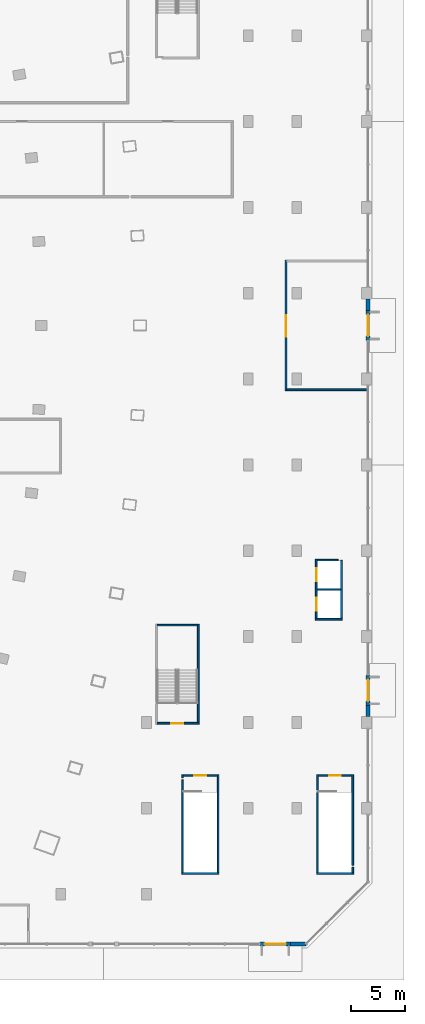
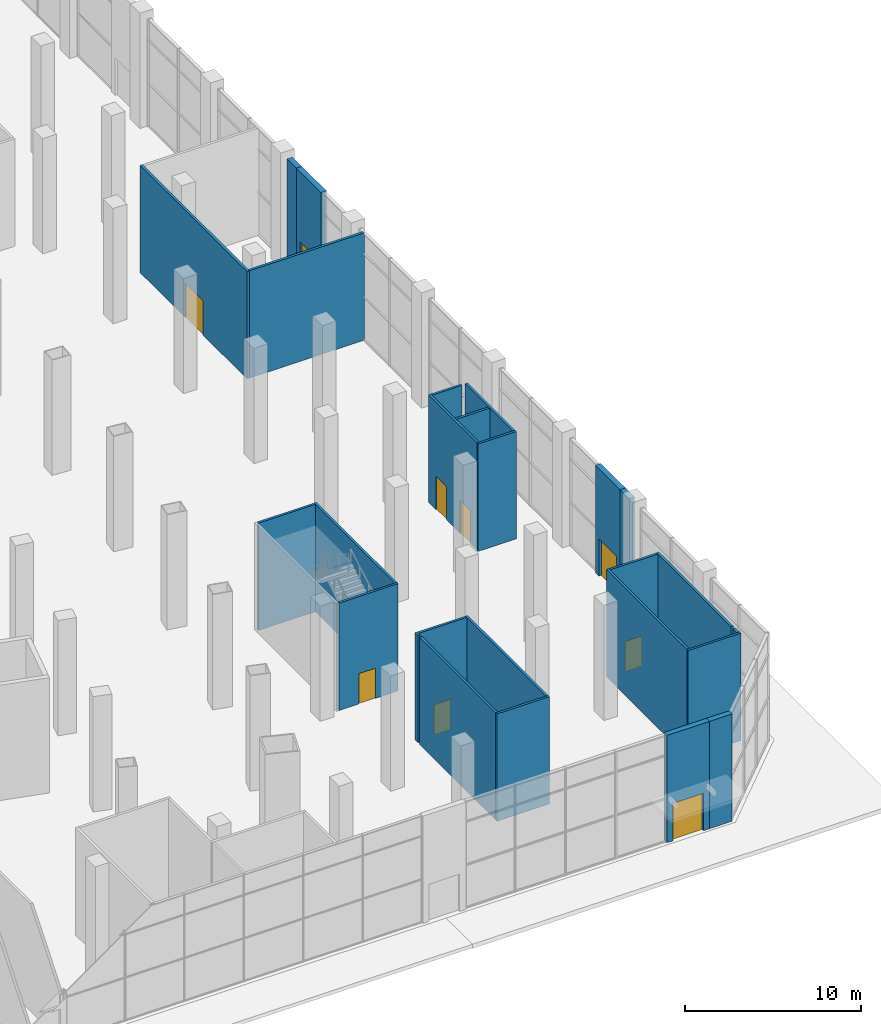
# One storey, part 16 of 33: 26 walls, 9 doors, 9 openings.
"""IFC4 building model written with IfcOpenShell, lengths in metres."""

from ifc_helpers import new_model, si_unit, direction, frame, frame_2d, origin, place, context, subcontext, project, spatial, rectangle, extrude, material, layer, layer_set, type_object, element, fill, save


model = new_model("IFC4")

# Units and contexts
model_context = context("Model", 3, precision=1e-05, world=origin(), true_north=direction((0.0, 1.0)))
body_context = subcontext(model_context, "Body", "Model", "MODEL_VIEW")
ifc_project = project(units=[si_unit("LENGTHUNIT", "METRE"), si_unit("AREAUNIT", "SQUARE_METRE"), si_unit("VOLUMEUNIT", "CUBIC_METRE"), si_unit("PLANEANGLEUNIT", "RADIAN"), si_unit("MASSUNIT", "GRAM", prefix="KILO")], contexts=[model_context])

# Site, building, storey
site_placement = place(None, origin())
site = spatial("IfcSite", under=ifc_project, at=site_placement, CompositionType="ELEMENT")
building_placement = place(site_placement, origin())
building = spatial("IfcBuilding", under=site, at=building_placement, Name="Alderwake Tower", CompositionType="ELEMENT")
storey_placement = place(building_placement, origin())
storey = spatial("IfcBuildingStorey", under=building, at=storey_placement, Name="L00", CompositionType="ELEMENT", Elevation=0.0)

# Wall, opening, door
ifc_material_1 = material(Name="Gypsum board on metal studs, rated")
ifc_layer_1 = layer(ifc_material_1, 0.159912109375)
ifc_layer_set_1 = layer_set([ifc_layer_1], Name="Corridor wall 160")
wall_type_1 = type_object("IfcWallType", Name="Corridor wall 160", PredefinedType="PARTITIONING", material=ifc_layer_set_1)
wall_1_placement = place(storey_placement, frame((77.0009765625, 54.9189453125, 0.0), z_axis=(0.0, 0.0, 1.0), x_axis=(0.0, 1.0, 0.0)))
wall_1 = element("IfcWall", 1, at=wall_1_placement, inside=storey, type_object=wall_type_1, Name="WL/L00/W99", PredefinedType="PARTITIONING", context=body_context, shape_type="SweptSolid", body=[
    extrude(rectangle(XDim=12.16015625, YDim=0.159912109375, at=frame_2d((6.080078125, 0.0))), origin(), (0.0, 0.0, 1.0), 7.449951171875),
])
opening_1_placement = place(wall_1_placement, frame((5.031005859375, 0.0, 0.0)))
opening_1 = element("IfcOpeningElement", 2, at=opening_1_placement, cuts=wall_1, Name="Opening L00-03", PredefinedType="OPENING", context=body_context, shape_type="SweptSolid", body=[
    extrude(rectangle(XDim=2.0, YDim=2.39990234375, at=frame_2d((1.0, 1.199951171875))), frame((0.0, 0.08984375, 0.0), z_axis=(0.0, -1.0, 0.0), x_axis=(1.0, 0.0, 0.0)), (0.0, 0.0, 1.0), 0.179931640625),
])
ifc_material_2 = material(Name="Timber leaves with glazed panels", Category="wood")
door_type_1 = type_object("IfcDoorType", Name="Hall double door 2000", OperationType="DOUBLE_DOOR_SINGLE_SWING", PredefinedType="DOOR", material=ifc_material_2)
door_1_placement = place(opening_1_placement, origin())
door_1 = element("IfcDoor", 3, at=door_1_placement, inside=storey, type_object=door_type_1, Name="DR/L00/03", OperationType="DOUBLE_DOOR_SINGLE_SWING", OverallHeight=2.39990234375, OverallWidth=2.0, PredefinedType="DOOR", context=body_context, shape_type="SweptSolid", body=[
    extrude(rectangle(XDim=2.0, YDim=2.39990234375, at=frame_2d((1.0, 1.199951171875))), frame((0.0, 0.02490234375, 0.0), z_axis=(0.0, -1.0, 0.0), x_axis=(1.0, 0.0, 0.0)), (0.0, 0.0, 1.0), 0.050048828125),
])
fill(opening_1, door_1)

# Wall
wall_2_placement = place(storey_placement, frame((84.6201171875, 54.9990234375, 0.0), z_axis=(0.0, 0.0, 1.0), x_axis=(-1.0, 0.0, 0.0)))
element("IfcWall", 4, at=wall_2_placement, inside=storey, type_object=wall_type_1, Name="WL/L00/W101", PredefinedType="PARTITIONING", context=body_context, shape_type="SweptSolid", body=[
    extrude(rectangle(XDim=7.5390625, YDim=0.159912109375, at=frame_2d((3.76953125, 0.0))), origin(), (0.0, 0.0, 1.0), 7.449951171875),
])

# Wall, opening, door
ifc_material_3 = material(Name="Precast concrete C50/60 spandrel panel", Category="concrete")
ifc_layer_2 = layer(ifc_material_3, 0.35009765625)
ifc_layer_set_2 = layer_set([ifc_layer_2], Name="External wall EW4 Precast concrete C50/60 podium")
wall_type_2 = type_object("IfcWallType", Name="External wall EW4 Precast concrete C50/60 podium", PredefinedType="SOLIDWALL", material=ifc_layer_set_2)
wall_3_placement = place(storey_placement, frame((74.60009765625, 3.35009765625, 0.0), z_axis=(0.0, 0.0, 1.0), x_axis=(1.0, 0.0, 0.0)))
wall_3 = element("IfcWall", 5, at=wall_3_placement, inside=storey, type_object=wall_type_2, Name="External wall 4", PredefinedType="SOLIDWALL", context=body_context, shape_type="SweptSolid", body=[
    extrude(rectangle(XDim=2.7998046875, YDim=0.35009765625, at=frame_2d((1.39990234375, 0.0))), origin(), (0.0, 0.0, 1.0), 7.449951171875),
])
opening_2_placement = place(wall_3_placement, frame((0.39990234375, 0.0, 0.0)))
opening_2 = element("IfcOpeningElement", 6, at=opening_2_placement, cuts=wall_3, Name="Opening D04", PredefinedType="OPENING", context=body_context, shape_type="SweptSolid", body=[
    extrude(rectangle(XDim=2.0, YDim=2.60009765625, at=frame_2d((1.0, 1.300048828125))), frame((0.0, 0.18505859375, 0.0), z_axis=(0.0, -1.0, 0.0), x_axis=(1.0, 0.0, 0.0)), (0.0, 0.0, 1.0), 0.3701171875),
])
ifc_material_4 = material(Name="Bronze tinted glass in aluminium frame", Category="aluminium")
door_type_2 = type_object("IfcDoorType", Name="Entrance door ED double 2000", OperationType="DOUBLE_DOOR_DOUBLE_SWING", PredefinedType="DOOR", material=ifc_material_4)
door_2_placement = place(opening_2_placement, origin())
door_2 = element("IfcDoor", 7, at=door_2_placement, inside=storey, type_object=door_type_2, Name="Door D04", OperationType="DOUBLE_DOOR_DOUBLE_SWING", OverallHeight=2.60009765625, OverallWidth=2.0, PredefinedType="DOOR", context=body_context, shape_type="SweptSolid", body=[
    extrude(rectangle(XDim=2.0, YDim=2.60009765625, at=frame_2d((1.0, 1.300048828125))), frame((0.0, 0.02490234375, 0.0), z_axis=(0.0, -1.0, 0.0), x_axis=(1.0, 0.0, 0.0)), (0.0, 0.0, 1.0), 0.050048828125),
])
fill(opening_2, door_2)

# Walls
wall_4_placement = place(storey_placement, frame((77.39990234375, 3.35009765625, 0.0), z_axis=(0.0, 0.0, 1.0), x_axis=(1.0, 0.0, 0.0)))
element("IfcWall", 8, at=wall_4_placement, inside=storey, type_object=wall_type_2, Name="External wall 5", PredefinedType="SOLIDWALL", context=body_context, shape_type="SweptSolid", body=[
    extrude(rectangle(XDim=1.47021484375, YDim=0.35009765625, at=frame_2d((0.735107421875, 0.0))), origin(), (0.0, 0.0, 1.0), 7.449951171875),
])
wall_5_placement = place(storey_placement, frame((84.64990234375, 24.550048828125, 0.0), z_axis=(0.0, 0.0, 1.0), x_axis=(0.0, 1.0, 0.0)))
element("IfcWall", 9, at=wall_5_placement, inside=storey, type_object=wall_type_2, Name="External wall 6", PredefinedType="SOLIDWALL", context=body_context, shape_type="SweptSolid", body=[
    extrude(rectangle(XDim=1.050048828125, YDim=0.35009765625, at=frame_2d((0.52490234375, 0.0))), origin(), (0.0, 0.0, 1.0), 7.449951171875),
])

# Wall, opening, door
wall_6_placement = place(storey_placement, frame((84.64990234375, 25.60009765625, 0.0), z_axis=(0.0, 0.0, 1.0), x_axis=(0.0, 1.0, 0.0)))
wall_6 = element("IfcWall", 10, at=wall_6_placement, inside=storey, type_object=wall_type_2, Name="External wall 7", PredefinedType="SOLIDWALL", context=body_context, shape_type="SweptSolid", body=[
    extrude(rectangle(XDim=2.7998046875, YDim=0.35009765625, at=frame_2d((1.39990234375, 0.0))), origin(), (0.0, 0.0, 1.0), 7.449951171875),
])
opening_3_placement = place(wall_6_placement, frame((0.39990234375, 0.0, 0.0)))
opening_3 = element("IfcOpeningElement", 11, at=opening_3_placement, cuts=wall_6, Name="Opening D05", PredefinedType="OPENING", context=body_context, shape_type="SweptSolid", body=[
    extrude(rectangle(XDim=2.0, YDim=2.60009765625, at=frame_2d((1.0, 1.300048828125))), frame((0.0, 0.18505859375, 0.0), z_axis=(0.0, -1.0, 0.0), x_axis=(1.0, 0.0, 0.0)), (0.0, 0.0, 1.0), 0.3701171875),
])
door_3_placement = place(opening_3_placement, origin())
door_3 = element("IfcDoor", 12, at=door_3_placement, inside=storey, type_object=door_type_2, Name="Door D05", OperationType="DOUBLE_DOOR_DOUBLE_SWING", OverallHeight=2.60009765625, OverallWidth=2.0, PredefinedType="DOOR", context=body_context, shape_type="SweptSolid", body=[
    extrude(rectangle(XDim=2.0, YDim=2.60009765625, at=frame_2d((1.0, 1.300048828125))), frame((0.0, 0.02490234375, 0.0), z_axis=(0.0, -1.0, 0.0), x_axis=(1.0, 0.0, 0.0)), (0.0, 0.0, 1.0), 0.050048828125),
])
fill(opening_3, door_3)

wall_7_placement = place(storey_placement, frame((84.64990234375, 59.60009765625, 0.0), z_axis=(0.0, 0.0, 1.0), x_axis=(0.0, 1.0, 0.0)))
wall_7 = element("IfcWall", 13, at=wall_7_placement, inside=storey, type_object=wall_type_2, Name="External wall 8", PredefinedType="SOLIDWALL", context=body_context, shape_type="SweptSolid", body=[
    extrude(rectangle(XDim=2.7998046875, YDim=0.35009765625, at=frame_2d((1.39990234375, 0.0))), origin(), (0.0, 0.0, 1.0), 7.449951171875),
])
opening_4_placement = place(wall_7_placement, frame((0.39990234375, 0.0, 0.0)))
opening_4 = element("IfcOpeningElement", 14, at=opening_4_placement, cuts=wall_7, Name="Opening D06", PredefinedType="OPENING", context=body_context, shape_type="SweptSolid", body=[
    extrude(rectangle(XDim=2.0, YDim=2.60009765625, at=frame_2d((1.0, 1.300048828125))), frame((0.0, 0.18505859375, 0.0), z_axis=(0.0, -1.0, 0.0), x_axis=(1.0, 0.0, 0.0)), (0.0, 0.0, 1.0), 0.3701171875),
])
door_4_placement = place(opening_4_placement, origin())
door_4 = element("IfcDoor", 15, at=door_4_placement, inside=storey, type_object=door_type_2, Name="Door D06", OperationType="DOUBLE_DOOR_DOUBLE_SWING", OverallHeight=2.60009765625, OverallWidth=2.0, PredefinedType="DOOR", context=body_context, shape_type="SweptSolid", body=[
    extrude(rectangle(XDim=2.0, YDim=2.60009765625, at=frame_2d((1.0, 1.300048828125))), frame((0.0, 0.02490234375, 0.0), z_axis=(0.0, -1.0, 0.0), x_axis=(1.0, 0.0, 0.0)), (0.0, 0.0, 1.0), 0.050048828125),
])
fill(opening_4, door_4)

# Walls
wall_8_placement = place(storey_placement, frame((84.64990234375, 62.39990234375, 0.0), z_axis=(0.0, 0.0, 1.0), x_axis=(0.0, 1.0, 0.0)))
element("IfcWall", 16, at=wall_8_placement, inside=storey, type_object=wall_type_2, Name="External wall 9", PredefinedType="SOLIDWALL", context=body_context, shape_type="SweptSolid", body=[
    extrude(rectangle(XDim=1.050048828125, YDim=0.35009765625, at=frame_2d((0.52490234375, 0.0))), origin(), (0.0, 0.0, 1.0), 7.449951171875),
])
ifc_material_5 = material(Name="Gypsum shaft wall system, rated")
ifc_layer_3 = layer(ifc_material_5, 0.14990234375)
ifc_layer_set_3 = layer_set([ifc_layer_3], Name="Riser and shaft wall 150")
wall_type_3 = type_object("IfcWallType", Name="Riser and shaft wall 150", PredefinedType="PARTITIONING", material=ifc_layer_set_3)
wall_9_placement = place(storey_placement, frame((67.299072265625, 9.924072265625, 0.0), z_axis=(0.0, 0.0, 1.0), x_axis=(1.0, 0.0, 0.0)))
element("IfcWall", 17, at=wall_9_placement, inside=storey, type_object=wall_type_3, Name="WL/L00/W33", PredefinedType="PARTITIONING", context=body_context, shape_type="SweptSolid", body=[
    extrude(rectangle(XDim=3.449951171875, YDim=0.14990234375, at=frame_2d((1.72509765625, 0.0))), origin(), (0.0, 0.0, 1.0), 7.449951171875),
])
wall_10_placement = place(storey_placement, frame((67.3740234375, 18.64208984375, 0.0), z_axis=(0.0, 0.0, 1.0), x_axis=(0.0, -1.0, 0.0)))
element("IfcWall", 18, at=wall_10_placement, inside=storey, type_object=wall_type_3, Name="WL/L00/W34", PredefinedType="PARTITIONING", context=body_context, shape_type="SweptSolid", body=[
    extrude(rectangle(XDim=8.64306640625, YDim=0.14990234375, at=frame_2d((4.321533203125, 0.0))), origin(), (0.0, 0.0, 1.0), 7.449951171875),
])
wall_11_placement = place(storey_placement, frame((67.3740234375, 19.14892578125, 0.0), z_axis=(0.0, 0.0, 1.0), x_axis=(0.0, -1.0, 0.0)))
element("IfcWall", 19, at=wall_11_placement, inside=storey, type_object=wall_type_3, Name="WL/L00/W35", PredefinedType="PARTITIONING", context=body_context, shape_type="SweptSolid", body=[
    extrude(rectangle(XDim=0.31103515625, YDim=0.14990234375, at=frame_2d((0.155517578125, 0.0))), origin(), (0.0, 0.0, 1.0), 7.449951171875),
])
wall_12_placement = place(storey_placement, frame((70.674072265625, 9.9990234375, 0.0), z_axis=(0.0, 0.0, 1.0), x_axis=(0.0, 1.0, 0.0)))
element("IfcWall", 20, at=wall_12_placement, inside=storey, type_object=wall_type_3, Name="WL/L00/W43", PredefinedType="PARTITIONING", context=body_context, shape_type="SweptSolid", body=[
    extrude(rectangle(XDim=9.14990234375, YDim=0.14990234375, at=frame_2d((4.574951171875, 0.0))), origin(), (0.0, 0.0, 1.0), 7.449951171875),
])

# Wall, opening, door
wall_13_placement = place(storey_placement, frame((67.448974609375, 19.073974609375, 0.0), z_axis=(0.0, 0.0, 1.0), x_axis=(1.0, 0.0, 0.0)))
wall_13 = element("IfcWall", 21, at=wall_13_placement, inside=storey, type_object=wall_type_3, Name="WL/L00/W44", PredefinedType="PARTITIONING", context=body_context, shape_type="SweptSolid", body=[
    extrude(rectangle(XDim=3.150146484375, YDim=0.14990234375, at=frame_2d((1.5751953125, 0.0))), origin(), (0.0, 0.0, 1.0), 7.449951171875),
])
opening_5_placement = place(wall_13_placement, frame((1.02587890625, 0.0, 0.0)))
opening_5 = element("IfcOpeningElement", 22, at=opening_5_placement, cuts=wall_13, Name="Opening L00-23", PredefinedType="OPENING", context=body_context, shape_type="SweptSolid", body=[
    extrude(rectangle(XDim=1.10009765625, YDim=2.10009765625, at=frame_2d((0.550048828125, 1.050048828125))), frame((0.0, 0.0849609375, 0.0), z_axis=(0.0, -1.0, 0.0), x_axis=(1.0, 0.0, 0.0)), (0.0, 0.0, 1.0), 0.169921875),
])
ifc_material_6 = material(Name="Steel-framed fire door leaf", Category="steel")
door_type_3 = type_object("IfcDoorType", Name="Stair door 1100 fire-rated", OperationType="SINGLE_SWING_LEFT", PredefinedType="DOOR", material=ifc_material_6)
door_5_placement = place(opening_5_placement, origin())
door_5 = element("IfcDoor", 23, at=door_5_placement, inside=storey, type_object=door_type_3, Name="DR/L00/23", OperationType="SINGLE_SWING_LEFT", OverallHeight=2.10009765625, OverallWidth=1.10009765625, PredefinedType="DOOR", context=body_context, shape_type="SweptSolid", body=[
    extrude(rectangle(XDim=1.10009765625, YDim=2.10009765625, at=frame_2d((0.550048828125, 1.050048828125))), frame((0.0, 0.02490234375, 0.0), z_axis=(0.0, -1.0, 0.0), x_axis=(1.0, 0.0, 0.0)), (0.0, 0.0, 1.0), 0.050048828125),
])
fill(opening_5, door_5)

# Wall
wall_14_placement = place(storey_placement, frame((79.7490234375, 33.6240234375, 0.0), z_axis=(0.0, 0.0, 1.0), x_axis=(1.0, 0.0, 0.0)))
element("IfcWall", 24, at=wall_14_placement, inside=storey, type_object=wall_type_3, Name="WL/L00/W51", PredefinedType="PARTITIONING", context=body_context, shape_type="SweptSolid", body=[
    extrude(rectangle(XDim=2.501953125, YDim=0.14990234375, at=frame_2d((1.2509765625, 0.0))), origin(), (0.0, 0.0, 1.0), 7.449951171875),
])

# Wall, openings, doors
wall_15_placement = place(storey_placement, frame((79.823974609375, 33.698974609375, 0.0), z_axis=(0.0, 0.0, 1.0), x_axis=(0.0, 1.0, 0.0)))
wall_15 = element("IfcWall", 25, at=wall_15_placement, inside=storey, type_object=wall_type_3, Name="WL/L00/W52", PredefinedType="PARTITIONING", context=body_context, shape_type="SweptSolid", body=[
    extrude(rectangle(XDim=5.501953125, YDim=0.14990234375, at=frame_2d((2.7509765625, 0.0))), origin(), (0.0, 0.0, 1.0), 7.449951171875),
])
opening_6_placement = place(wall_15_placement, frame((0.700927734375, 0.0, 0.0)))
opening_6 = element("IfcOpeningElement", 26, at=opening_6_placement, cuts=wall_15, Name="Opening LD-SL1", PredefinedType="OPENING", context=body_context, shape_type="SweptSolid", body=[
    extrude(rectangle(XDim=1.199951171875, YDim=2.300048828125, at=frame_2d((0.60009765625, 1.14990234375))), frame((0.0, 0.0849609375, 0.0), z_axis=(0.0, -1.0, 0.0), x_axis=(1.0, 0.0, 0.0)), (0.0, 0.0, 1.0), 0.169921875),
])
opening_7_placement = place(wall_15_placement, frame((3.450927734375, 0.0, 0.0)))
opening_7 = element("IfcOpeningElement", 27, at=opening_7_placement, cuts=wall_15, Name="Opening LD-SL2", PredefinedType="OPENING", context=body_context, shape_type="SweptSolid", body=[
    extrude(rectangle(XDim=1.199951171875, YDim=2.300048828125, at=frame_2d((0.60009765625, 1.14990234375))), frame((0.0, 0.0849609375, 0.0), z_axis=(0.0, -1.0, 0.0), x_axis=(1.0, 0.0, 0.0)), (0.0, 0.0, 1.0), 0.169921875),
])
ifc_material_7 = material(Name="Stainless steel sliding leaf", Category="steel")
door_type_4 = type_object("IfcDoorType", Name="Lift landing door 1200", OperationType="SLIDING_TO_LEFT", PredefinedType="DOOR", material=ifc_material_7)
door_6_placement = place(opening_6_placement, origin())
door_6 = element("IfcDoor", 28, at=door_6_placement, inside=storey, type_object=door_type_4, Name="DR/L00/01", OperationType="SLIDING_TO_LEFT", OverallHeight=2.300048828125, OverallWidth=1.199951171875, PredefinedType="DOOR", context=body_context, shape_type="SweptSolid", body=[
    extrude(rectangle(XDim=1.199951171875, YDim=2.300048828125, at=frame_2d((0.60009765625, 1.14990234375))), frame((0.0, 0.02490234375, 0.0), z_axis=(0.0, -1.0, 0.0), x_axis=(1.0, 0.0, 0.0)), (0.0, 0.0, 1.0), 0.050048828125),
])
fill(opening_6, door_6)
door_7_placement = place(opening_7_placement, origin())
door_7 = element("IfcDoor", 29, at=door_7_placement, inside=storey, type_object=door_type_4, Name="DR/L00/02", OperationType="SLIDING_TO_LEFT", OverallHeight=2.300048828125, OverallWidth=1.199951171875, PredefinedType="DOOR", context=body_context, shape_type="SweptSolid", body=[
    extrude(rectangle(XDim=1.199951171875, YDim=2.300048828125, at=frame_2d((0.60009765625, 1.14990234375))), frame((0.0, 0.02490234375, 0.0), z_axis=(0.0, -1.0, 0.0), x_axis=(1.0, 0.0, 0.0)), (0.0, 0.0, 1.0), 0.050048828125),
])
fill(opening_7, door_7)

# Walls
wall_16_placement = place(storey_placement, frame((79.85107421875, 9.924072265625, 0.0), z_axis=(0.0, 0.0, 1.0), x_axis=(1.0, 0.0, 0.0)))
element("IfcWall", 30, at=wall_16_placement, inside=storey, type_object=wall_type_3, Name="WL/L00/W53", PredefinedType="PARTITIONING", context=body_context, shape_type="SweptSolid", body=[
    extrude(rectangle(XDim=3.449951171875, YDim=0.14990234375, at=frame_2d((1.72509765625, 0.0))), origin(), (0.0, 0.0, 1.0), 7.449951171875),
])
wall_17_placement = place(storey_placement, frame((79.926025390625, 19.14892578125, 0.0), z_axis=(0.0, 0.0, 1.0), x_axis=(0.0, -1.0, 0.0)))
element("IfcWall", 31, at=wall_17_placement, inside=storey, type_object=wall_type_3, Name="WL/L00/W54", PredefinedType="PARTITIONING", context=body_context, shape_type="SweptSolid", body=[
    extrude(rectangle(XDim=9.14990234375, YDim=0.14990234375, at=frame_2d((4.574951171875, 0.0))), origin(), (0.0, 0.0, 1.0), 7.449951171875),
])
wall_18_placement = place(storey_placement, frame((81.861083984375, 39.1259765625, 0.0), z_axis=(0.0, 0.0, 1.0), x_axis=(-1.0, 0.0, 0.0)))
element("IfcWall", 32, at=wall_18_placement, inside=storey, type_object=wall_type_3, Name="WL/L00/W55", PredefinedType="PARTITIONING", context=body_context, shape_type="SweptSolid", body=[
    extrude(rectangle(XDim=1.962158203125, YDim=0.14990234375, at=frame_2d((0.98095703125, 0.0))), origin(), (0.0, 0.0, 1.0), 7.449951171875),
])
wall_19_placement = place(storey_placement, frame((82.176025390625, 33.698974609375, 0.0), z_axis=(0.0, 0.0, 1.0), x_axis=(0.0, 1.0, 0.0)))
element("IfcWall", 33, at=wall_19_placement, inside=storey, type_object=wall_type_3, Name="WL/L00/W56", PredefinedType="PARTITIONING", context=body_context, shape_type="SweptSolid", body=[
    extrude(rectangle(XDim=5.4150390625, YDim=0.14990234375, at=frame_2d((2.70751953125, 0.0))), origin(), (0.0, 0.0, 1.0), 7.449951171875),
])
wall_20_placement = place(storey_placement, frame((82.10107421875, 36.375, 0.0), z_axis=(0.0, 0.0, 1.0), x_axis=(-1.0, 0.0, 0.0)))
element("IfcWall", 34, at=wall_20_placement, inside=storey, type_object=wall_type_3, Name="WL/L00/W57", PredefinedType="PARTITIONING", context=body_context, shape_type="SweptSolid", body=[
    extrude(rectangle(XDim=2.2021484375, YDim=0.14990234375, at=frame_2d((1.10107421875, 0.0))), origin(), (0.0, 0.0, 1.0), 7.449951171875),
])
wall_21_placement = place(storey_placement, frame((83.22607421875, 9.9990234375, 0.0), z_axis=(0.0, 0.0, 1.0), x_axis=(0.0, 1.0, 0.0)))
element("IfcWall", 35, at=wall_21_placement, inside=storey, type_object=wall_type_3, Name="WL/L00/W58", PredefinedType="PARTITIONING", context=body_context, shape_type="SweptSolid", body=[
    extrude(rectangle(XDim=0.489013671875, YDim=0.14990234375, at=frame_2d((0.24462890625, 0.0))), origin(), (0.0, 0.0, 1.0), 7.449951171875),
])
wall_22_placement = place(storey_placement, frame((83.22607421875, 10.68408203125, 0.0), z_axis=(0.0, 0.0, 1.0), x_axis=(0.0, 1.0, 0.0)))
element("IfcWall", 36, at=wall_22_placement, inside=storey, type_object=wall_type_3, Name="WL/L00/W59", PredefinedType="PARTITIONING", context=body_context, shape_type="SweptSolid", body=[
    extrude(rectangle(XDim=8.46484375, YDim=0.14990234375, at=frame_2d((4.232421875, 0.0))), origin(), (0.0, 0.0, 1.0), 7.449951171875),
])

# Wall, opening, door
wall_23_placement = place(storey_placement, frame((80.0009765625, 19.073974609375, 0.0), z_axis=(0.0, 0.0, 1.0), x_axis=(1.0, 0.0, 0.0)))
wall_23 = element("IfcWall", 37, at=wall_23_placement, inside=storey, type_object=wall_type_3, Name="WL/L00/W60", PredefinedType="PARTITIONING", context=body_context, shape_type="SweptSolid", body=[
    extrude(rectangle(XDim=3.14990234375, YDim=0.14990234375, at=frame_2d((1.574951171875, 0.0))), origin(), (0.0, 0.0, 1.0), 7.449951171875),
])
opening_8_placement = place(wall_23_placement, frame((1.02392578125, 0.0, 0.0)))
opening_8 = element("IfcOpeningElement", 38, at=opening_8_placement, cuts=wall_23, Name="Opening L00-24", PredefinedType="OPENING", context=body_context, shape_type="SweptSolid", body=[
    extrude(rectangle(XDim=1.10009765625, YDim=2.10009765625, at=frame_2d((0.550048828125, 1.050048828125))), frame((0.0, 0.0849609375, 0.0), z_axis=(0.0, -1.0, 0.0), x_axis=(1.0, 0.0, 0.0)), (0.0, 0.0, 1.0), 0.169921875),
])
door_8_placement = place(opening_8_placement, origin())
door_8 = element("IfcDoor", 39, at=door_8_placement, inside=storey, type_object=door_type_3, Name="DR/L00/24", OperationType="SINGLE_SWING_LEFT", OverallHeight=2.10009765625, OverallWidth=1.10009765625, PredefinedType="DOOR", context=body_context, shape_type="SweptSolid", body=[
    extrude(rectangle(XDim=1.10009765625, YDim=2.10009765625, at=frame_2d((0.550048828125, 1.050048828125))), frame((0.0, 0.02490234375, 0.0), z_axis=(0.0, -1.0, 0.0), x_axis=(1.0, 0.0, 0.0)), (0.0, 0.0, 1.0), 0.050048828125),
])
fill(opening_8, door_8)

ifc_material_8 = material(Name="Concrete C40/50", Category="concrete")
ifc_layer_4 = layer(ifc_material_8, 0.14990234375)
ifc_layer_set_4 = layer_set([ifc_layer_4], Name="Stair shaft wall 150 C40/50")
wall_type_4 = type_object("IfcWallType", Name="Stair shaft wall 150 C40/50", PredefinedType="SHEAR", material=ifc_layer_set_4)
wall_24_placement = place(storey_placement, frame((68.90087890625, 23.925048828125, 0.0), z_axis=(0.0, 0.0, 1.0), x_axis=(-1.0, 0.0, 0.0)))
wall_24 = element("IfcWall", 40, at=wall_24_placement, inside=storey, type_object=wall_type_4, Name="WL/L00/W38", PredefinedType="SHEAR", context=body_context, shape_type="SweptSolid", body=[
    extrude(rectangle(XDim=3.89990234375, YDim=0.14990234375, at=frame_2d((1.949951171875, 0.0))), origin(), (0.0, 0.0, 1.0), 7.449951171875),
])
opening_9_placement = place(wall_24_placement, frame((1.47607421875, 0.0, 0.0)))
opening_9 = element("IfcOpeningElement", 41, at=opening_9_placement, cuts=wall_24, Name="Opening L00-30", PredefinedType="OPENING", context=body_context, shape_type="SweptSolid", body=[
    extrude(rectangle(XDim=1.10009765625, YDim=2.10009765625, at=frame_2d((0.550048828125, 1.050048828125))), frame((0.0, 0.0849609375, 0.0), z_axis=(0.0, -1.0, 0.0), x_axis=(1.0, 0.0, 0.0)), (0.0, 0.0, 1.0), 0.169921875),
])
door_9_placement = place(opening_9_placement, origin())
door_9 = element("IfcDoor", 42, at=door_9_placement, inside=storey, type_object=door_type_3, Name="DR/L00/30", OperationType="SINGLE_SWING_LEFT", OverallHeight=2.10009765625, OverallWidth=1.10009765625, PredefinedType="DOOR", context=body_context, shape_type="SweptSolid", body=[
    extrude(rectangle(XDim=1.10009765625, YDim=2.10009765625, at=frame_2d((0.550048828125, 1.050048828125))), frame((0.0, 0.02490234375, 0.0), z_axis=(0.0, -1.0, 0.0), x_axis=(1.0, 0.0, 0.0)), (0.0, 0.0, 1.0), 0.050048828125),
])
fill(opening_9, door_9)

# Walls
wall_25_placement = place(storey_placement, frame((68.825927734375, 24.0, 0.0), z_axis=(0.0, 0.0, 1.0), x_axis=(0.0, 1.0, 0.0)))
element("IfcWall", 43, at=wall_25_placement, inside=storey, type_object=wall_type_4, Name="WL/L00/W39", PredefinedType="SHEAR", context=body_context, shape_type="SweptSolid", body=[
    extrude(rectangle(XDim=9.14990234375, YDim=0.14990234375, at=frame_2d((4.574951171875, 0.0))), origin(), (0.0, 0.0, 1.0), 7.449951171875),
])
wall_26_placement = place(storey_placement, frame((68.7509765625, 33.074951171875, 0.0), z_axis=(0.0, 0.0, 1.0), x_axis=(-1.0, 0.0, 0.0)))
element("IfcWall", 44, at=wall_26_placement, inside=storey, type_object=wall_type_4, Name="WL/L00/W40", PredefinedType="SHEAR", context=body_context, shape_type="SweptSolid", body=[
    extrude(rectangle(XDim=3.75, YDim=0.14990234375, at=frame_2d((1.875, 0.0))), origin(), (0.0, 0.0, 1.0), 7.449951171875),
])

save(model, "model.ifc")
